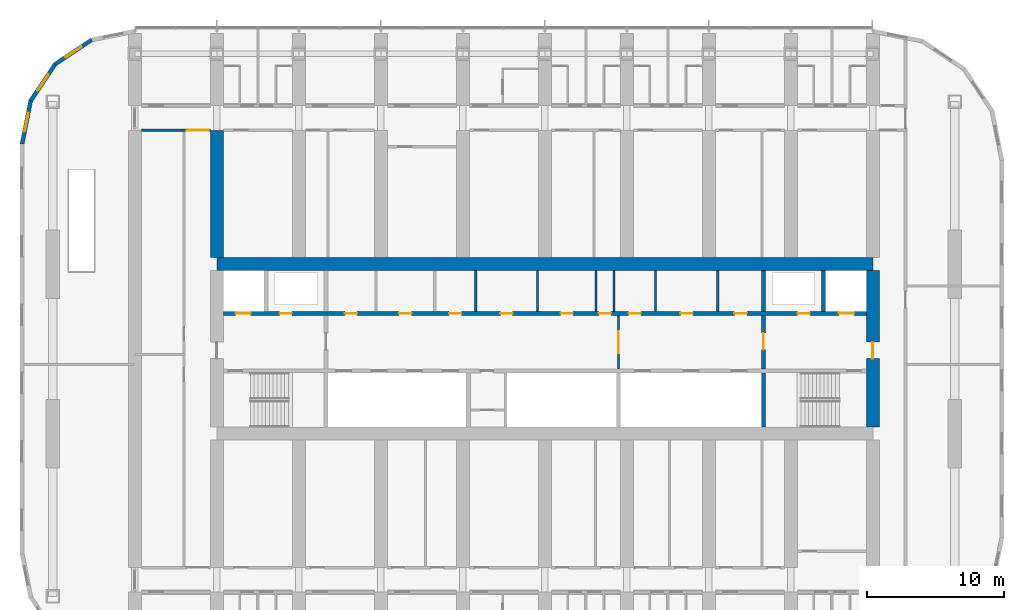
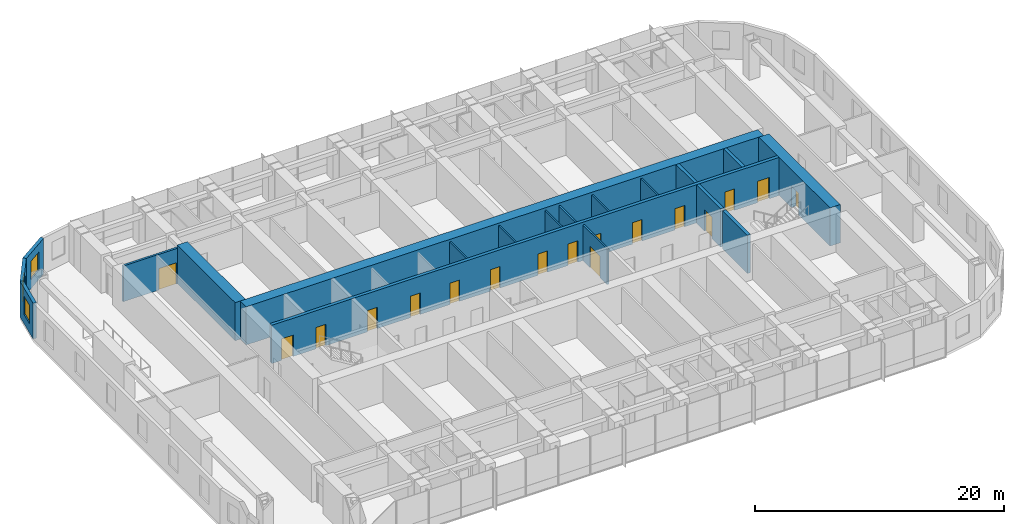
# One storey, part 12 of 21: 19 walls, 17 doors, 3 windows, 20 openings.
"""IFC4 building model written with IfcOpenShell, lengths in metres."""

from ifc_helpers import new_model, si_unit, direction, frame, frame_2d, origin, place, context, subcontext, project, spatial, polyline, rectangle, outline, extrude, material, layer, layer_set, type_object, element, fill, save


model = new_model("IFC4")

# Units and contexts
model_context = context("Model", 3, precision=1e-05, world=origin(), true_north=direction((0.0, 1.0)))
body_context = subcontext(model_context, "Body", "Model", "MODEL_VIEW")
ifc_project = project(units=[si_unit("LENGTHUNIT", "METRE"), si_unit("AREAUNIT", "SQUARE_METRE"), si_unit("VOLUMEUNIT", "CUBIC_METRE"), si_unit("PLANEANGLEUNIT", "RADIAN"), si_unit("MASSUNIT", "GRAM", prefix="KILO")], contexts=[model_context])

# Site, building, storey
site_placement = place(None, origin())
site = spatial("IfcSite", under=ifc_project, at=site_placement, CompositionType="ELEMENT")
building_placement = place(site_placement, origin())
building = spatial("IfcBuilding", under=site, at=building_placement, Name="Orbita Commons", CompositionType="ELEMENT")
storey_placement = place(building_placement, frame((0.0, 0.0, 103.14990234375)))
storey = spatial("IfcBuildingStorey", under=building, at=storey_placement, Name="L25", CompositionType="ELEMENT", Elevation=103.14990234375)

# Wall, openings, doors
ifc_material_1 = material(Name="Concrete C50/60", Category="concrete")
ifc_layer_1 = layer(ifc_material_1, 0.300048828125)
ifc_layer_set_1 = layer_set([ifc_layer_1], Name="Concrete C50/60")
wall_type_1 = type_object("IfcWallType", Name="Core inner wall 300 C50/60", PredefinedType="SHEAR", material=ifc_layer_set_1)
wall_1_placement = place(storey_placement, frame((18.47509765625, 34.60009765625, 0.0), z_axis=(0.0, 0.0, 1.0), x_axis=(1.0, 0.0, 0.0)))
wall_1 = element("IfcWall", 1, at=wall_1_placement, inside=storey, type_object=wall_type_1, Name="Lobby wall north L25", PredefinedType="SHEAR", context=body_context, shape_type="SweptSolid", body=[
    extrude(rectangle(XDim=47.0498046875, YDim=0.300048828125, at=frame_2d((23.52490234375, 0.0))), origin(), (0.0, 0.0, 1.0), 3.75),
])
opening_1_placement = place(wall_1_placement, frame((0.89990234375, 0.0, 0.0)))
opening_1 = element("IfcOpeningElement", 2, at=opening_1_placement, cuts=wall_1, Name="Opening LD01", PredefinedType="OPENING", context=body_context, shape_type="SweptSolid", body=[
    extrude(rectangle(XDim=1.10009765625, YDim=2.10009765625, at=frame_2d((0.550048828125, 1.050048828125))), frame((0.0, 0.159912109375, 0.0), z_axis=(0.0, -1.0, 0.0), x_axis=(1.0, 0.0, 0.0)), (0.0, 0.0, 1.0), 0.320068359375),
])
opening_2_placement = place(wall_1_placement, frame((45.050048828125, 0.0, 0.0)))
opening_2 = element("IfcOpeningElement", 3, at=opening_2_placement, cuts=wall_1, Name="Opening LD01", PredefinedType="OPENING", context=body_context, shape_type="SweptSolid", body=[
    extrude(rectangle(XDim=1.10009765625, YDim=2.10009765625, at=frame_2d((0.550048828125, 1.050048828125))), frame((0.0, 0.159912109375, 0.0), z_axis=(0.0, -1.0, 0.0), x_axis=(1.0, 0.0, 0.0)), (0.0, 0.0, 1.0), 0.320068359375),
])
opening_3_placement = place(wall_1_placement, frame((4.125, 0.0, 0.0)))
opening_3 = element("IfcOpeningElement", 4, at=opening_3_placement, cuts=wall_1, Name="Opening D03", PredefinedType="OPENING", context=body_context, shape_type="SweptSolid", body=[
    extrude(rectangle(XDim=0.89990234375, YDim=2.10009765625, at=frame_2d((0.449951171875, 1.050048828125))), frame((0.0, 0.159912109375, 0.0), z_axis=(0.0, -1.0, 0.0), x_axis=(1.0, 0.0, 0.0)), (0.0, 0.0, 1.0), 0.320068359375),
])
opening_4_placement = place(wall_1_placement, frame((42.02490234375, 0.0, 0.0)))
opening_4 = element("IfcOpeningElement", 5, at=opening_4_placement, cuts=wall_1, Name="Opening D03", PredefinedType="OPENING", context=body_context, shape_type="SweptSolid", body=[
    extrude(rectangle(XDim=0.89990234375, YDim=2.10009765625, at=frame_2d((0.449951171875, 1.050048828125))), frame((0.0, 0.159912109375, 0.0), z_axis=(0.0, -1.0, 0.0), x_axis=(1.0, 0.0, 0.0)), (0.0, 0.0, 1.0), 0.320068359375),
])
opening_5_placement = place(wall_1_placement, frame((8.900390625, 0.0, 0.0)))
opening_5 = element("IfcOpeningElement", 6, at=opening_5_placement, cuts=wall_1, Name="Opening D03", PredefinedType="OPENING", context=body_context, shape_type="SweptSolid", body=[
    extrude(rectangle(XDim=0.89990234375, YDim=2.10009765625, at=frame_2d((0.449951171875, 1.050048828125))), frame((0.0, 0.159912109375, 0.0), z_axis=(0.0, -1.0, 0.0), x_axis=(1.0, 0.0, 0.0)), (0.0, 0.0, 1.0), 0.320068359375),
])
opening_6_placement = place(wall_1_placement, frame((12.873779296875, 0.0, 0.0)))
opening_6 = element("IfcOpeningElement", 7, at=opening_6_placement, cuts=wall_1, Name="Opening D03", PredefinedType="OPENING", context=body_context, shape_type="SweptSolid", body=[
    extrude(rectangle(XDim=0.89990234375, YDim=2.10009765625, at=frame_2d((0.449951171875, 1.050048828125))), frame((0.0, 0.159912109375, 0.0), z_axis=(0.0, -1.0, 0.0), x_axis=(1.0, 0.0, 0.0)), (0.0, 0.0, 1.0), 0.320068359375),
])
opening_7_placement = place(wall_1_placement, frame((16.521240234375, 0.0, 0.0)))
opening_7 = element("IfcOpeningElement", 8, at=opening_7_placement, cuts=wall_1, Name="Opening D03", PredefinedType="OPENING", context=body_context, shape_type="SweptSolid", body=[
    extrude(rectangle(XDim=0.89990234375, YDim=2.10009765625, at=frame_2d((0.449951171875, 1.050048828125))), frame((0.0, 0.159912109375, 0.0), z_axis=(0.0, -1.0, 0.0), x_axis=(1.0, 0.0, 0.0)), (0.0, 0.0, 1.0), 0.320068359375),
])
opening_8_placement = place(wall_1_placement, frame((20.27978515625, 0.0, 0.0)))
opening_8 = element("IfcOpeningElement", 9, at=opening_8_placement, cuts=wall_1, Name="Opening D05", PredefinedType="OPENING", context=body_context, shape_type="SweptSolid", body=[
    extrude(rectangle(XDim=0.89990234375, YDim=2.10009765625, at=frame_2d((0.449951171875, 1.050048828125))), frame((0.0, 0.159912109375, 0.0), z_axis=(0.0, -1.0, 0.0), x_axis=(1.0, 0.0, 0.0)), (0.0, 0.0, 1.0), 0.320068359375),
])
opening_9_placement = place(wall_1_placement, frame((24.685791015625, 0.0, 0.0)))
opening_9 = element("IfcOpeningElement", 10, at=opening_9_placement, cuts=wall_1, Name="Opening D03", PredefinedType="OPENING", context=body_context, shape_type="SweptSolid", body=[
    extrude(rectangle(XDim=0.89990234375, YDim=2.10009765625, at=frame_2d((0.449951171875, 1.050048828125))), frame((0.0, 0.159912109375, 0.0), z_axis=(0.0, -1.0, 0.0), x_axis=(1.0, 0.0, 0.0)), (0.0, 0.0, 1.0), 0.320068359375),
])
opening_10_placement = place(wall_1_placement, frame((27.4833984375, 0.0, 0.0)))
opening_10 = element("IfcOpeningElement", 11, at=opening_10_placement, cuts=wall_1, Name="Opening D03", PredefinedType="OPENING", context=body_context, shape_type="SweptSolid", body=[
    extrude(rectangle(XDim=0.89990234375, YDim=2.10009765625, at=frame_2d((0.449951171875, 1.050048828125))), frame((0.0, 0.159912109375, 0.0), z_axis=(0.0, -1.0, 0.0), x_axis=(1.0, 0.0, 0.0)), (0.0, 0.0, 1.0), 0.320068359375),
])
opening_11_placement = place(wall_1_placement, frame((29.653076171875, 0.0, 0.0)))
opening_11 = element("IfcOpeningElement", 12, at=opening_11_placement, cuts=wall_1, Name="Opening D05", PredefinedType="OPENING", context=body_context, shape_type="SweptSolid", body=[
    extrude(rectangle(XDim=0.89990234375, YDim=2.10009765625, at=frame_2d((0.449951171875, 1.050048828125))), frame((0.0, 0.159912109375, 0.0), z_axis=(0.0, -1.0, 0.0), x_axis=(1.0, 0.0, 0.0)), (0.0, 0.0, 1.0), 0.320068359375),
])
opening_12_placement = place(wall_1_placement, frame((33.4521484375, 0.0, 0.0)))
opening_12 = element("IfcOpeningElement", 13, at=opening_12_placement, cuts=wall_1, Name="Opening D05", PredefinedType="OPENING", context=body_context, shape_type="SweptSolid", body=[
    extrude(rectangle(XDim=0.89990234375, YDim=2.10009765625, at=frame_2d((0.449951171875, 1.050048828125))), frame((0.0, 0.159912109375, 0.0), z_axis=(0.0, -1.0, 0.0), x_axis=(1.0, 0.0, 0.0)), (0.0, 0.0, 1.0), 0.320068359375),
])
opening_13_placement = place(wall_1_placement, frame((37.4033203125, 0.0, 0.0)))
opening_13 = element("IfcOpeningElement", 14, at=opening_13_placement, cuts=wall_1, Name="Opening D03", PredefinedType="OPENING", context=body_context, shape_type="SweptSolid", body=[
    extrude(rectangle(XDim=0.89990234375, YDim=2.10009765625, at=frame_2d((0.449951171875, 1.050048828125))), frame((0.0, 0.159912109375, 0.0), z_axis=(0.0, -1.0, 0.0), x_axis=(1.0, 0.0, 0.0)), (0.0, 0.0, 1.0), 0.320068359375),
])
ifc_material_2 = material(Name="Steel-faced fire door leaf", Category="steel")
door_type_1 = type_object("IfcDoorType", Name="Firefighting lift landing door 1100x2100", OperationType="DOUBLE_DOOR_SLIDING", PredefinedType="DOOR", material=ifc_material_2)
door_1_placement = place(opening_1_placement, origin())
door_1 = element("IfcDoor", 15, at=door_1_placement, inside=storey, type_object=door_type_1, Name="Firefighting lift FL1 landing door", OperationType="DOUBLE_DOOR_SLIDING", OverallHeight=2.10009765625, OverallWidth=1.10009765625, PredefinedType="DOOR", context=body_context, shape_type="SweptSolid", body=[
    extrude(rectangle(XDim=1.10009765625, YDim=2.10009765625, at=frame_2d((0.550048828125, 1.050048828125))), frame((0.0, 0.02490234375, 0.0), z_axis=(0.0, -1.0, 0.0), x_axis=(1.0, 0.0, 0.0)), (0.0, 0.0, 1.0), 0.050048828125),
])
fill(opening_1, door_1)
door_2_placement = place(opening_2_placement, origin())
door_2 = element("IfcDoor", 16, at=door_2_placement, inside=storey, type_object=door_type_1, Name="Firefighting lift FL2 landing door", OperationType="DOUBLE_DOOR_SLIDING", OverallHeight=2.10009765625, OverallWidth=1.10009765625, PredefinedType="DOOR", context=body_context, shape_type="SweptSolid", body=[
    extrude(rectangle(XDim=1.10009765625, YDim=2.10009765625, at=frame_2d((0.550048828125, 1.050048828125))), frame((0.0, 0.02490234375, 0.0), z_axis=(0.0, -1.0, 0.0), x_axis=(1.0, 0.0, 0.0)), (0.0, 0.0, 1.0), 0.050048828125),
])
fill(opening_2, door_2)
ifc_material_3 = material(Name="Steel-faced fire door leaf", Category="steel")
door_type_2 = type_object("IfcDoorType", Name="Service door 20 min 900x2100", OperationType="SINGLE_SWING_LEFT", PredefinedType="DOOR", material=ifc_material_3)
door_3_placement = place(opening_8_placement, origin())
door_3 = element("IfcDoor", 17, at=door_3_placement, inside=storey, type_object=door_type_2, Name="Accessible WC door", OperationType="SINGLE_SWING_LEFT", OverallHeight=2.10009765625, OverallWidth=0.89990234375, PredefinedType="DOOR", context=body_context, shape_type="SweptSolid", body=[
    extrude(rectangle(XDim=0.89990234375, YDim=2.10009765625, at=frame_2d((0.449951171875, 1.050048828125))), frame((0.0, 0.02490234375, 0.0), z_axis=(0.0, -1.0, 0.0), x_axis=(1.0, 0.0, 0.0)), (0.0, 0.0, 1.0), 0.050048828125),
])
fill(opening_8, door_3)
door_4_placement = place(opening_11_placement, origin())
door_4 = element("IfcDoor", 18, at=door_4_placement, inside=storey, type_object=door_type_2, Name="Staff WC door", OperationType="SINGLE_SWING_LEFT", OverallHeight=2.10009765625, OverallWidth=0.89990234375, PredefinedType="DOOR", context=body_context, shape_type="SweptSolid", body=[
    extrude(rectangle(XDim=0.89990234375, YDim=2.10009765625, at=frame_2d((0.449951171875, 1.050048828125))), frame((0.0, 0.02490234375, 0.0), z_axis=(0.0, -1.0, 0.0), x_axis=(1.0, 0.0, 0.0)), (0.0, 0.0, 1.0), 0.050048828125),
])
fill(opening_11, door_4)
door_5_placement = place(opening_12_placement, origin())
door_5 = element("IfcDoor", 19, at=door_5_placement, inside=storey, type_object=door_type_2, Name="Vending and ice room door", OperationType="SINGLE_SWING_LEFT", OverallHeight=2.10009765625, OverallWidth=0.89990234375, PredefinedType="DOOR", context=body_context, shape_type="SweptSolid", body=[
    extrude(rectangle(XDim=0.89990234375, YDim=2.10009765625, at=frame_2d((0.449951171875, 1.050048828125))), frame((0.0, 0.02490234375, 0.0), z_axis=(0.0, -1.0, 0.0), x_axis=(1.0, 0.0, 0.0)), (0.0, 0.0, 1.0), 0.050048828125),
])
fill(opening_12, door_5)
ifc_material_4 = material(Name="Steel-faced fire door leaf", Category="steel")
door_type_3 = type_object("IfcDoorType", Name="Shaft access door 90 min 900x2100", OperationType="SINGLE_SWING_LEFT", PredefinedType="DOOR", material=ifc_material_4)
door_6_placement = place(opening_3_placement, origin())
door_6 = element("IfcDoor", 20, at=door_6_placement, inside=storey, type_object=door_type_3, Name="Riser door west", OperationType="SINGLE_SWING_LEFT", OverallHeight=2.10009765625, OverallWidth=0.89990234375, PredefinedType="DOOR", context=body_context, shape_type="SweptSolid", body=[
    extrude(rectangle(XDim=0.89990234375, YDim=2.10009765625, at=frame_2d((0.449951171875, 1.050048828125))), frame((0.0, 0.02490234375, 0.0), z_axis=(0.0, -1.0, 0.0), x_axis=(1.0, 0.0, 0.0)), (0.0, 0.0, 1.0), 0.050048828125),
])
fill(opening_3, door_6)
door_7_placement = place(opening_4_placement, origin())
door_7 = element("IfcDoor", 21, at=door_7_placement, inside=storey, type_object=door_type_3, Name="Riser door east", OperationType="SINGLE_SWING_LEFT", OverallHeight=2.10009765625, OverallWidth=0.89990234375, PredefinedType="DOOR", context=body_context, shape_type="SweptSolid", body=[
    extrude(rectangle(XDim=0.89990234375, YDim=2.10009765625, at=frame_2d((0.449951171875, 1.050048828125))), frame((0.0, 0.02490234375, 0.0), z_axis=(0.0, -1.0, 0.0), x_axis=(1.0, 0.0, 0.0)), (0.0, 0.0, 1.0), 0.050048828125),
])
fill(opening_4, door_7)
door_8_placement = place(opening_5_placement, origin())
door_8 = element("IfcDoor", 22, at=door_8_placement, inside=storey, type_object=door_type_3, Name="Cleaners store door", OperationType="SINGLE_SWING_LEFT", OverallHeight=2.10009765625, OverallWidth=0.89990234375, PredefinedType="DOOR", context=body_context, shape_type="SweptSolid", body=[
    extrude(rectangle(XDim=0.89990234375, YDim=2.10009765625, at=frame_2d((0.449951171875, 1.050048828125))), frame((0.0, 0.02490234375, 0.0), z_axis=(0.0, -1.0, 0.0), x_axis=(1.0, 0.0, 0.0)), (0.0, 0.0, 1.0), 0.050048828125),
])
fill(opening_5, door_8)
door_9_placement = place(opening_6_placement, origin())
door_9 = element("IfcDoor", 23, at=door_9_placement, inside=storey, type_object=door_type_3, Name="Refuse chute room door", OperationType="SINGLE_SWING_LEFT", OverallHeight=2.10009765625, OverallWidth=0.89990234375, PredefinedType="DOOR", context=body_context, shape_type="SweptSolid", body=[
    extrude(rectangle(XDim=0.89990234375, YDim=2.10009765625, at=frame_2d((0.449951171875, 1.050048828125))), frame((0.0, 0.02490234375, 0.0), z_axis=(0.0, -1.0, 0.0), x_axis=(1.0, 0.0, 0.0)), (0.0, 0.0, 1.0), 0.050048828125),
])
fill(opening_6, door_9)
door_10_placement = place(opening_7_placement, origin())
door_10 = element("IfcDoor", 24, at=door_10_placement, inside=storey, type_object=door_type_3, Name="Electrical riser room door", OperationType="SINGLE_SWING_LEFT", OverallHeight=2.10009765625, OverallWidth=0.89990234375, PredefinedType="DOOR", context=body_context, shape_type="SweptSolid", body=[
    extrude(rectangle(XDim=0.89990234375, YDim=2.10009765625, at=frame_2d((0.449951171875, 1.050048828125))), frame((0.0, 0.02490234375, 0.0), z_axis=(0.0, -1.0, 0.0), x_axis=(1.0, 0.0, 0.0)), (0.0, 0.0, 1.0), 0.050048828125),
])
fill(opening_7, door_10)
door_11_placement = place(opening_9_placement, origin())
door_11 = element("IfcDoor", 25, at=door_11_placement, inside=storey, type_object=door_type_3, Name="Communications room door", OperationType="SINGLE_SWING_LEFT", OverallHeight=2.10009765625, OverallWidth=0.89990234375, PredefinedType="DOOR", context=body_context, shape_type="SweptSolid", body=[
    extrude(rectangle(XDim=0.89990234375, YDim=2.10009765625, at=frame_2d((0.449951171875, 1.050048828125))), frame((0.0, 0.02490234375, 0.0), z_axis=(0.0, -1.0, 0.0), x_axis=(1.0, 0.0, 0.0)), (0.0, 0.0, 1.0), 0.050048828125),
])
fill(opening_9, door_11)
door_12_placement = place(opening_10_placement, origin())
door_12 = element("IfcDoor", 26, at=door_12_placement, inside=storey, type_object=door_type_3, Name="Stair pressurisation duct door", OperationType="SINGLE_SWING_LEFT", OverallHeight=2.10009765625, OverallWidth=0.89990234375, PredefinedType="DOOR", context=body_context, shape_type="SweptSolid", body=[
    extrude(rectangle(XDim=0.89990234375, YDim=2.10009765625, at=frame_2d((0.449951171875, 1.050048828125))), frame((0.0, 0.02490234375, 0.0), z_axis=(0.0, -1.0, 0.0), x_axis=(1.0, 0.0, 0.0)), (0.0, 0.0, 1.0), 0.050048828125),
])
fill(opening_10, door_12)
door_13_placement = place(opening_13_placement, origin())
door_13 = element("IfcDoor", 27, at=door_13_placement, inside=storey, type_object=door_type_3, Name="Housekeeping store door", OperationType="SINGLE_SWING_LEFT", OverallHeight=2.10009765625, OverallWidth=0.89990234375, PredefinedType="DOOR", context=body_context, shape_type="SweptSolid", body=[
    extrude(rectangle(XDim=0.89990234375, YDim=2.10009765625, at=frame_2d((0.449951171875, 1.050048828125))), frame((0.0, 0.02490234375, 0.0), z_axis=(0.0, -1.0, 0.0), x_axis=(1.0, 0.0, 0.0)), (0.0, 0.0, 1.0), 0.050048828125),
])
fill(opening_13, door_13)

# Wall
wall_2_placement = place(storey_placement, frame((58.0, 26.27490234375, 0.0), z_axis=(0.0, 0.0, 1.0), x_axis=(0.0, 1.0, 0.0)))
element("IfcWall", 28, at=wall_2_placement, inside=storey, type_object=wall_type_1, Name="Stair S2 wall L25", PredefinedType="SHEAR", context=body_context, shape_type="SweptSolid", body=[
    extrude(rectangle(XDim=3.97509765625, YDim=0.300048828125, at=frame_2d((1.987548828125, 0.0))), origin(), (0.0, 0.0, 1.0), 3.75),
])

# Wall, opening, door
wall_3_placement = place(storey_placement, frame((58.0, 30.550048828125, 0.0), z_axis=(0.0, 0.0, 1.0), x_axis=(0.0, 1.0, 0.0)))
wall_3 = element("IfcWall", 29, at=wall_3_placement, inside=storey, type_object=wall_type_1, Name="Firefighting lobby wall east L25", PredefinedType="SHEAR", context=body_context, shape_type="SweptSolid", body=[
    extrude(rectangle(XDim=3.89990234375, YDim=0.300048828125, at=frame_2d((1.949951171875, 0.0))), origin(), (0.0, 0.0, 1.0), 3.75),
])
opening_14_placement = place(wall_3_placement, frame((1.39990234375, 0.0, 0.0)))
opening_14 = element("IfcOpeningElement", 30, at=opening_14_placement, cuts=wall_3, Name="Opening D04", PredefinedType="OPENING", context=body_context, shape_type="SweptSolid", body=[
    extrude(rectangle(XDim=1.199951171875, YDim=2.10009765625, at=frame_2d((0.60009765625, 1.050048828125))), frame((0.0, 0.159912109375, 0.0), z_axis=(0.0, -1.0, 0.0), x_axis=(1.0, 0.0, 0.0)), (0.0, 0.0, 1.0), 0.320068359375),
])
ifc_material_5 = material(Name="Steel-faced fire door leaf", Category="steel")
door_type_4 = type_object("IfcDoorType", Name="Service door 20 min 1200x2100", OperationType="SINGLE_SWING_LEFT", PredefinedType="DOOR", material=ifc_material_5)
door_14_placement = place(opening_14_placement, origin())
door_14 = element("IfcDoor", 31, at=door_14_placement, inside=storey, type_object=door_type_4, Name="Lift lobby door east", OperationType="SINGLE_SWING_LEFT", OverallHeight=2.10009765625, OverallWidth=1.199951171875, PredefinedType="DOOR", context=body_context, shape_type="SweptSolid", body=[
    extrude(rectangle(XDim=1.199951171875, YDim=2.10009765625, at=frame_2d((0.60009765625, 1.050048828125))), frame((0.0, 0.02490234375, 0.0), z_axis=(0.0, -1.0, 0.0), x_axis=(1.0, 0.0, 0.0)), (0.0, 0.0, 1.0), 0.050048828125),
])
fill(opening_14, door_14)

# Walls
for number, where, z_axis, x_axis, name in (
    (32, (62.39990234375, 34.75, 0.0), (0.0, 0.0, 1.0), (0.0, 1.0, 0.0), "Firefighting lift FL2 shaft wall L25"),
    (33, (58.0, 34.75, 0.0), (0.0, 0.0, 1.0), (0.0, 1.0, 0.0), "Riser wall east L25"),
):
    element("IfcWall", number, at=place(storey_placement, frame(where, z_axis=z_axis, x_axis=x_axis)), inside=storey, type_object=wall_type_1, Name=name, PredefinedType="SHEAR", context=body_context, shape_type="SweptSolid", body=[
        extrude(rectangle(XDim=2.97509765625, YDim=0.300048828125, at=frame_2d((1.487548828125, 0.0))), origin(), (0.0, 0.0, 1.0), 3.75),
    ])

# Wall, opening, door
ifc_material_6 = material(Name="Concrete blockwork", Category="masonry")
ifc_layer_2 = layer(ifc_material_6, 0.14990234375)
ifc_layer_set_2 = layer_set([ifc_layer_2], Name="Concrete blockwork")
wall_type_2 = type_object("IfcWallType", Name="Core partition 150 blockwork", PredefinedType="SOLIDWALL", material=ifc_layer_set_2)
wall_4_placement = place(storey_placement, frame((47.39990234375, 30.550048828125, 0.0), z_axis=(0.0, 0.0, 1.0), x_axis=(0.0, 1.0, 0.0)))
wall_4 = element("IfcWall", 34, at=wall_4_placement, inside=storey, type_object=wall_type_2, Name="Core partition 150 blockwork L25", PredefinedType="SOLIDWALL", context=body_context, shape_type="SweptSolid", body=[
    extrude(rectangle(XDim=3.89990234375, YDim=0.14990234375, at=frame_2d((1.949951171875, 0.0))), origin(), (0.0, 0.0, 1.0), 3.5),
])
opening_15_placement = place(wall_4_placement, frame((1.14990234375, 0.0, 0.0)))
opening_15 = element("IfcOpeningElement", 35, at=opening_15_placement, cuts=wall_4, Name="Opening D10", PredefinedType="OPENING", context=body_context, shape_type="SweptSolid", body=[
    extrude(rectangle(XDim=1.60009765625, YDim=2.10009765625, at=frame_2d((0.800048828125, 1.050048828125))), frame((0.0, 0.0849609375, 0.0), z_axis=(0.0, -1.0, 0.0), x_axis=(1.0, 0.0, 0.0)), (0.0, 0.0, 1.0), 0.169921875),
])
ifc_material_7 = material(Name="Steel-faced fire door leaf", Category="steel")
door_type_5 = type_object("IfcDoorType", Name="Double corridor door 20 min 1600x2100", OperationType="DOUBLE_DOOR_SINGLE_SWING", PredefinedType="DOOR", material=ifc_material_7)
door_15_placement = place(opening_15_placement, origin())
door_15 = element("IfcDoor", 36, at=door_15_placement, inside=storey, type_object=door_type_5, Name="Lift lobby screen doors", OperationType="DOUBLE_DOOR_SINGLE_SWING", OverallHeight=2.10009765625, OverallWidth=1.60009765625, PredefinedType="DOOR", context=body_context, shape_type="SweptSolid", body=[
    extrude(rectangle(XDim=1.60009765625, YDim=2.10009765625, at=frame_2d((0.800048828125, 1.050048828125))), frame((0.0, 0.02490234375, 0.0), z_axis=(0.0, -1.0, 0.0), x_axis=(1.0, 0.0, 0.0)), (0.0, 0.0, 1.0), 0.050048828125),
])
fill(opening_15, door_15)

# Walls
for number, where, z_axis, x_axis, name in (
    (37, (36.9462890625, 34.75, 0.0), (0.0, 0.0, 1.0), (0.0, 1.0, 0.0), "Core partition 150 blockwork L25"),
    (38, (41.463134765625, 34.75, 0.0), (0.0, 0.0, 1.0), (0.0, 1.0, 0.0), "Core partition 150 blockwork L25"),
    (39, (45.75830078125, 34.75, 0.0), (0.0, 0.0, 1.0), (0.0, 1.0, 0.0), "Core partition 150 blockwork L25"),
    (40, (47.058349609375, 34.75, 0.0), (0.0, 0.0, 1.0), (0.0, 1.0, 0.0), "Core partition 150 blockwork L25"),
    (41, (50.09765625, 34.75, 0.0), (0.0, 0.0, 1.0), (0.0, 1.0, 0.0), "Core partition 150 blockwork L25"),
    (42, (54.65673828125, 34.75, 0.0), (0.0, 0.0, 1.0), (0.0, 1.0, 0.0), "Core partition 150 blockwork L25"),
):
    element("IfcWall", number, at=place(storey_placement, frame(where, z_axis=z_axis, x_axis=x_axis)), inside=storey, type_object=wall_type_2, Name=name, PredefinedType="SOLIDWALL", context=body_context, shape_type="SweptSolid", body=[
        extrude(rectangle(XDim=2.97509765625, YDim=0.14990234375, at=frame_2d((1.487548828125, 0.0))), origin(), (0.0, 0.0, 1.0), 3.5),
    ])
ifc_material_8 = material(Name="Concrete C50/60", Category="concrete")
ifc_layer_3 = layer(ifc_material_8, 0.949951171875)
ifc_layer_set_3 = layer_set([ifc_layer_3], Name="Concrete C50/60")
wall_type_3 = type_object("IfcWallType", Name="Core wall 950 C50/60", PredefinedType="SHEAR", material=ifc_layer_set_3)
wall_5_placement = place(storey_placement, frame((18.0, 38.199951171875, 0.0), z_axis=(0.0, 0.0, 1.0), x_axis=(1.0, 0.0, 0.0)))
element("IfcWall", 43, at=wall_5_placement, inside=storey, type_object=wall_type_3, Name="Core spine wall north L25", PredefinedType="SHEAR", context=body_context, shape_type="SweptSolid", body=[
    extrude(rectangle(XDim=48.0, YDim=0.949951171875, at=frame_2d((24.0, 0.0))), origin(), (0.0, 0.0, 1.0), 3.75),
])

# Wall, opening, door
wall_6_placement = place(storey_placement, frame((66.0, 26.27490234375, 0.0), z_axis=(0.0, 0.0, 1.0), x_axis=(0.0, 1.0, 0.0)))
wall_6 = element("IfcWall", 44, at=wall_6_placement, inside=storey, type_object=wall_type_3, Name="Core end wall east L25", PredefinedType="SHEAR", context=body_context, shape_type="SweptSolid", body=[
    extrude(rectangle(XDim=11.4501953125, YDim=0.949951171875, at=frame_2d((5.72509765625, 0.0))), origin(), (0.0, 0.0, 1.0), 3.75),
])
opening_16_placement = place(wall_6_placement, frame((5.02490234375, 0.0, 0.0)))
opening_16 = element("IfcOpeningElement", 45, at=opening_16_placement, cuts=wall_6, Name="Opening D01", PredefinedType="OPENING", context=body_context, shape_type="SweptSolid", body=[
    extrude(rectangle(XDim=1.199951171875, YDim=2.10009765625, at=frame_2d((0.60009765625, 1.050048828125))), frame((0.0, 0.48486328125, 0.0), z_axis=(0.0, -1.0, 0.0), x_axis=(1.0, 0.0, 0.0)), (0.0, 0.0, 1.0), 0.969970703125),
])
ifc_material_9 = material(Name="Steel-faced fire door leaf", Category="steel")
door_type_6 = type_object("IfcDoorType", Name="Fire door 90 min 1200x2100", OperationType="SINGLE_SWING_LEFT", PredefinedType="DOOR", material=ifc_material_9)
door_16_placement = place(opening_16_placement, origin())
door_16 = element("IfcDoor", 46, at=door_16_placement, inside=storey, type_object=door_type_6, Name="Firefighting lobby east door", OperationType="SINGLE_SWING_LEFT", OverallHeight=2.10009765625, OverallWidth=1.199951171875, PredefinedType="DOOR", context=body_context, shape_type="SweptSolid", body=[
    extrude(rectangle(XDim=1.199951171875, YDim=2.10009765625, at=frame_2d((0.60009765625, 1.050048828125))), frame((0.0, 0.02490234375, 0.0), z_axis=(0.0, -1.0, 0.0), x_axis=(1.0, 0.0, 0.0)), (0.0, 0.0, 1.0), 0.050048828125),
])
fill(opening_16, door_16)

ifc_material_10 = material(Name="Hollow concrete block 200", Category="concrete")
ifc_layer_4 = layer(ifc_material_10, 0.199951171875)
ifc_layer_set_4 = layer_set([ifc_layer_4], Name="Hollow concrete block 200")
wall_type_4 = type_object("IfcWallType", Name="Corridor wall 200 hollow concrete block", PredefinedType="SOLIDWALL", material=ifc_layer_set_4)
wall_7_placement = place(storey_placement, frame((12.47509765625, 48.0, 0.0), z_axis=(0.0, 0.0, 1.0), x_axis=(1.0, 0.0, 0.0)))
wall_7 = element("IfcWall", 47, at=wall_7_placement, inside=storey, type_object=wall_type_4, Name="Corridor wall 200 hollow concrete block L25", PredefinedType="SOLIDWALL", context=body_context, shape_type="SweptSolid", body=[
    extrude(rectangle(XDim=5.0498046875, YDim=0.199951171875, at=frame_2d((2.52490234375, 0.0))), origin(), (0.0, 0.0, 1.0), 3.5),
])
opening_17_placement = place(wall_7_placement, frame((3.324951171875, 0.0, 0.0)))
opening_17 = element("IfcOpeningElement", 48, at=opening_17_placement, cuts=wall_7, Name="Opening D10", PredefinedType="OPENING", context=body_context, shape_type="SweptSolid", body=[
    extrude(rectangle(XDim=1.60009765625, YDim=2.10009765625, at=frame_2d((0.800048828125, 1.050048828125))), frame((0.0, 0.10986328125, 0.0), z_axis=(0.0, -1.0, 0.0), x_axis=(1.0, 0.0, 0.0)), (0.0, 0.0, 1.0), 0.219970703125),
])
door_17_placement = place(opening_17_placement, origin())
door_17 = element("IfcDoor", 49, at=door_17_placement, inside=storey, type_object=door_type_5, Name="Cross corridor doors", OperationType="DOUBLE_DOOR_SINGLE_SWING", OverallHeight=2.10009765625, OverallWidth=1.60009765625, PredefinedType="DOOR", context=body_context, shape_type="SweptSolid", body=[
    extrude(rectangle(XDim=1.60009765625, YDim=2.10009765625, at=frame_2d((0.800048828125, 1.050048828125))), frame((0.0, 0.02490234375, 0.0), z_axis=(0.0, -1.0, 0.0), x_axis=(1.0, 0.0, 0.0)), (0.0, 0.0, 1.0), 0.050048828125),
])
fill(opening_17, door_17)

# Wall
ifc_material_11 = material(Name="Concrete C50/60", Category="concrete")
ifc_layer_5 = layer(ifc_material_11, 0.949951171875)
ifc_layer_set_5 = layer_set([ifc_layer_5], Name="Concrete C50/60")
wall_type_5 = type_object("IfcWallType", Name="Cross wall 950 C50/60", PredefinedType="SHEAR", material=ifc_layer_set_5)
wall_8_placement = place(storey_placement, frame((18.0, 38.675048828125, 0.0), z_axis=(0.0, 0.0, 1.0), x_axis=(0.0, 1.0, 0.0)))
element("IfcWall", 50, at=wall_8_placement, inside=storey, type_object=wall_type_5, Name="Cross wall 4 north inner L25", PredefinedType="SHEAR", context=body_context, shape_type="SweptSolid", body=[
    extrude(rectangle(XDim=9.324951171875, YDim=0.949951171875, at=frame_2d((4.66259765625, 0.0))), origin(), (0.0, 0.0, 1.0), 3.75),
])

# Wall, opening, window
ifc_material_12 = material(Name="Precast concrete C40/50, white board-marked finish", Category="concrete")
ifc_layer_6 = layer(ifc_material_12, 0.300048828125)
ifc_layer_set_6 = layer_set([ifc_layer_6], Name="Precast concrete C40/50, white board-marked finish")
wall_type_6 = type_object("IfcWallType", Name="Precast concrete end shield 300", PredefinedType="SOLIDWALL", material=ifc_layer_set_6)
wall_9_placement = place(storey_placement, frame((8.843017578125, 54.6220703125, 0.0), z_axis=(0.0, 0.0, 1.0), x_axis=(-0.831443069936, -0.555609954424, 0.0)))
wall_9 = element("IfcWall", 51, at=wall_9_placement, inside=storey, type_object=wall_type_6, Name="End shield NW chord 2 L25", PredefinedType="SOLIDWALL", context=body_context, shape_type="SweptSolid", body=[
    extrude(outline(polyline([(-0.02978515625, -0.14990234375), (3.2490234375, -0.14990234375), (3.189453125, 0.14990234375), (0.02978515625, 0.14990234375), (-0.02978515625, -0.14990234375)])), origin(), (0.0, 0.0, 1.0), 3.5),
])
opening_18_placement = place(wall_9_placement, frame((0.909423828125, 0.0, 0.89990234375)))
opening_18 = element("IfcOpeningElement", 52, at=opening_18_placement, cuts=wall_9, Name="Opening W02", PredefinedType="OPENING", context=body_context, shape_type="SweptSolid", body=[
    extrude(rectangle(XDim=1.39990234375, YDim=1.800048828125, at=frame_2d((0.699951171875, 0.89990234375))), frame((0.0, 0.159912109375, 0.0), z_axis=(0.0, -1.0, 0.0), x_axis=(1.0, 0.0, 0.0)), (0.0, 0.0, 1.0), 0.320068359375),
])
ifc_material_13 = material(Name="Aluminium frame, clear double glazing", Category="aluminium")
window_type = type_object("IfcWindowType", Name="Deep-set window 1400x1800", PartitioningType="SINGLE_PANEL", PredefinedType="WINDOW", material=ifc_material_13)
window_1_placement = place(opening_18_placement, origin())
window_1 = element("IfcWindow", 53, at=window_1_placement, inside=storey, type_object=window_type, Name="Window L25-NW1", OverallHeight=1.800048828125, OverallWidth=1.39990234375, PartitioningType="SINGLE_PANEL", PredefinedType="WINDOW", context=body_context, shape_type="SweptSolid", body=[
    extrude(rectangle(XDim=1.39990234375, YDim=1.800048828125, at=frame_2d((0.699951171875, 0.89990234375))), frame((0.0, 0.030029296875, 0.0), z_axis=(0.0, -1.0, 0.0), x_axis=(1.0, 0.0, 0.0)), (0.0, 0.0, 1.0), 0.06005859375),
])
fill(opening_18, window_1)

wall_10_placement = place(storey_placement, frame((6.16650390625, 52.83349609375, 0.0), z_axis=(0.0, 0.0, 1.0), x_axis=(-0.555609954424, -0.831443069936, 0.0)))
wall_10 = element("IfcWall", 54, at=wall_10_placement, inside=storey, type_object=wall_type_6, Name="End shield NW chord 3 L25", PredefinedType="SOLIDWALL", context=body_context, shape_type="SweptSolid", body=[
    extrude(outline(polyline([(-0.02978515625, -0.14990234375), (3.2490234375, -0.14990234375), (3.189453125, 0.14990234375), (0.02978515625, 0.14990234375), (-0.02978515625, -0.14990234375)])), origin(), (0.0, 0.0, 1.0), 3.5),
])
opening_19_placement = place(wall_10_placement, frame((0.909423828125, 0.0, 0.89990234375)))
opening_19 = element("IfcOpeningElement", 55, at=opening_19_placement, cuts=wall_10, Name="Opening W02", PredefinedType="OPENING", context=body_context, shape_type="SweptSolid", body=[
    extrude(rectangle(XDim=1.39990234375, YDim=1.800048828125, at=frame_2d((0.699951171875, 0.89990234375))), frame((0.0, 0.159912109375, 0.0), z_axis=(0.0, -1.0, 0.0), x_axis=(1.0, 0.0, 0.0)), (0.0, 0.0, 1.0), 0.320068359375),
])
window_2_placement = place(opening_19_placement, origin())
window_2 = element("IfcWindow", 56, at=window_2_placement, inside=storey, type_object=window_type, Name="Window L25-NW2", OverallHeight=1.800048828125, OverallWidth=1.39990234375, PartitioningType="SINGLE_PANEL", PredefinedType="WINDOW", context=body_context, shape_type="SweptSolid", body=[
    extrude(rectangle(XDim=1.39990234375, YDim=1.800048828125, at=frame_2d((0.699951171875, 0.89990234375))), frame((0.0, 0.030029296875, 0.0), z_axis=(0.0, -1.0, 0.0), x_axis=(1.0, 0.0, 0.0)), (0.0, 0.0, 1.0), 0.06005859375),
])
fill(opening_19, window_2)

wall_11_placement = place(storey_placement, frame((4.3779296875, 50.156982421875, 0.0), z_axis=(0.0, 0.0, 1.0), x_axis=(-0.195080412259, -0.980787251524, 0.0)))
wall_11 = element("IfcWall", 57, at=wall_11_placement, inside=storey, type_object=wall_type_6, Name="End shield NW chord 4 L25", PredefinedType="SOLIDWALL", context=body_context, shape_type="SweptSolid", body=[
    extrude(outline(polyline([(-0.02978515625, -0.14990234375), (3.233642578125, -0.14990234375), (3.203857421875, 0.14990234375), (0.02978515625, 0.14990234375), (-0.02978515625, -0.14990234375)])), origin(), (0.0, 0.0, 1.0), 3.5),
])
opening_20_placement = place(wall_11_placement, frame((0.909423828125, 0.0, 0.89990234375)))
opening_20 = element("IfcOpeningElement", 58, at=opening_20_placement, cuts=wall_11, Name="Opening W02", PredefinedType="OPENING", context=body_context, shape_type="SweptSolid", body=[
    extrude(rectangle(XDim=1.39990234375, YDim=1.800048828125, at=frame_2d((0.699951171875, 0.89990234375))), frame((0.0, 0.159912109375, 0.0), z_axis=(0.0, -1.0, 0.0), x_axis=(1.0, 0.0, 0.0)), (0.0, 0.0, 1.0), 0.320068359375),
])
window_3_placement = place(opening_20_placement, origin())
window_3 = element("IfcWindow", 59, at=window_3_placement, inside=storey, type_object=window_type, Name="Window L25-NW3", OverallHeight=1.800048828125, OverallWidth=1.39990234375, PartitioningType="SINGLE_PANEL", PredefinedType="WINDOW", context=body_context, shape_type="SweptSolid", body=[
    extrude(rectangle(XDim=1.39990234375, YDim=1.800048828125, at=frame_2d((0.699951171875, 0.89990234375))), frame((0.0, 0.030029296875, 0.0), z_axis=(0.0, -1.0, 0.0), x_axis=(1.0, 0.0, 0.0)), (0.0, 0.0, 1.0), 0.06005859375),
])
fill(opening_20, window_3)

save(model, "model.ifc")
